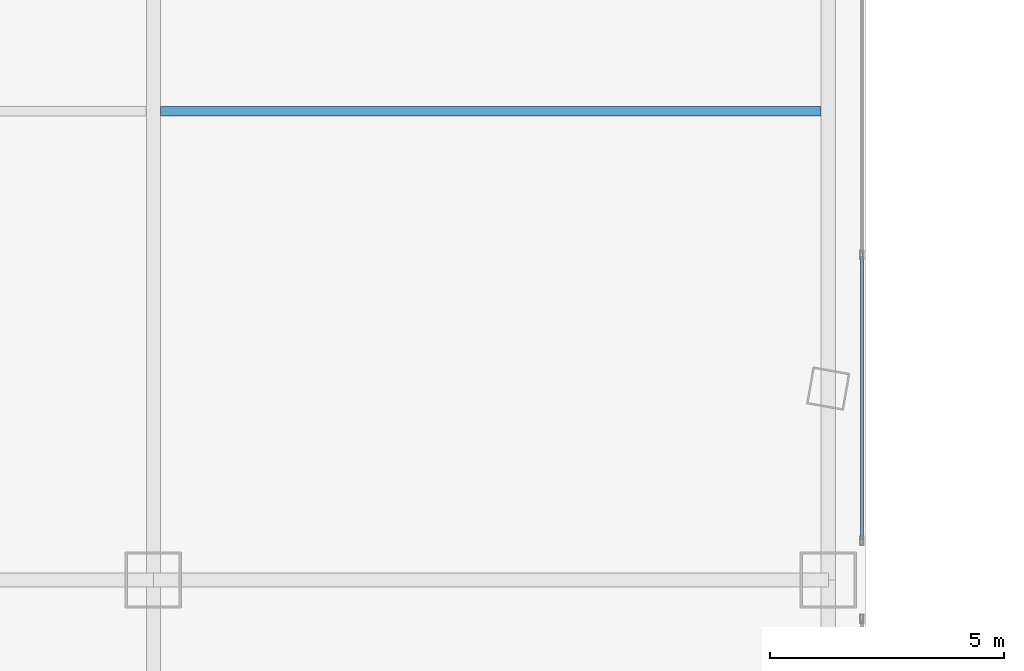
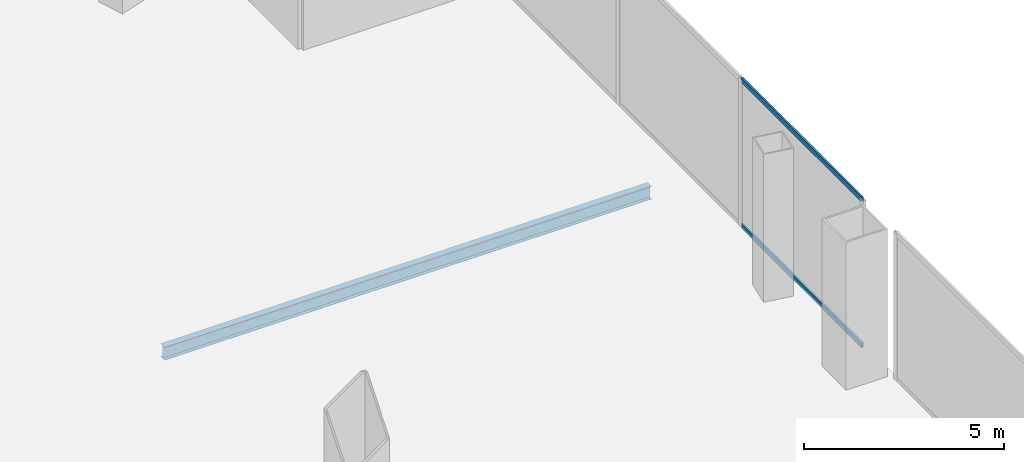
# One storey, part 22 of 58: 2 members, 1 beam, 1 element without a shape of its own.
"""IFC4 building model written with IfcOpenShell, lengths in metres."""

from ifc_helpers import new_model, si_unit, direction, frame, origin, origin_2d, place, context, subcontext, project, spatial, hollow_rectangle, i_section, extrude, source, transform, mapped, material, layer, layer_set, material_profile, profile_set, type_object, element, aggregate, save


model = new_model("IFC4")

# Units and contexts
model_context = context("Model", 3, precision=1e-05, world=origin(), true_north=direction((0.0, 1.0)))
body_context = subcontext(model_context, "Body", "Model", "MODEL_VIEW")
ifc_project = project(units=[si_unit("LENGTHUNIT", "METRE"), si_unit("AREAUNIT", "SQUARE_METRE"), si_unit("VOLUMEUNIT", "CUBIC_METRE"), si_unit("PLANEANGLEUNIT", "RADIAN"), si_unit("MASSUNIT", "GRAM", prefix="KILO"), si_unit("THERMODYNAMICTEMPERATUREUNIT", "KELVIN"), si_unit("POWERUNIT", "WATT")], contexts=[model_context])

# Site, building, storey
site_placement = place(None, origin())
site = spatial("IfcSite", under=ifc_project, at=site_placement, CompositionType="ELEMENT")
building_placement = place(site_placement, origin())
building = spatial("IfcBuilding", under=site, at=building_placement, Name="Yunzhuo Pagoda Commons", CompositionType="ELEMENT")
storey_placement = place(building_placement, origin())
storey = spatial("IfcBuildingStorey", under=building, at=storey_placement, Name="L01", CompositionType="ELEMENT", Elevation=0.0)

# Beam
ifc_material_1 = material(Name="Structural steel Q355B", Category="steel")
ifc_material_profile_1 = material_profile(ifc_material_1, i_section(OverallWidth=0.199951171875, OverallDepth=0.39990234375, WebThickness=0.008056640625, FlangeThickness=0.012939453125, at=origin_2d()), Name="Structural steel Q355B")
ifc_profile_set_1 = profile_set([ifc_material_profile_1], Name="Structural steel Q355B")
beam_type = type_object("IfcBeamType", Name="B-JS1 Joist HN 400x200x8x13", PredefinedType="JOIST", material=ifc_profile_set_1)
shared_shape_1 = source(origin(), body_context, "Body", "SweptSolid", [
    extrude(i_section(OverallWidth=0.199951171875, OverallDepth=0.39990234375, WebThickness=0.008056640625, FlangeThickness=0.012939453125, at=origin_2d()), origin(), (0.0, 0.0, 1.0), 14.08984375),
])
beam_placement = place(storey_placement, frame((76.955078125, 32.0, -0.479736328125), z_axis=(1.0, 0.0, 0.0), x_axis=(0.0, 1.0, 0.0)))
element("IfcBeam", 1, at=beam_placement, inside=storey, type_object=beam_type, Name="L01 podium composite joist 5.2", PredefinedType="JOIST", context=body_context, shape_type="MappedRepresentation", body=[
    mapped(shared_shape_1, transform((0.0, 0.0, 0.0), scale=1.0)),
])

# Curtain wall, members
ifc_material_2 = material(Name="Anodized aluminium 6063-T6", Category="aluminium")
ifc_layer = layer(ifc_material_2, 0.179931640625)
ifc_layer_set = layer_set([ifc_layer], Name="Anodized aluminium 6063-T6")
curtain_wall_type = type_object("IfcCurtainWallType", Name="CW-POD Waterfront Podium Curtain Wall", PredefinedType="NOTDEFINED", material=ifc_layer_set)
curtain_wall_placement = place(storey_placement, origin())
curtain_wall = element("IfcCurtainWall", 2, at=curtain_wall_placement, inside=storey, type_object=curtain_wall_type, Name="L01 curtain wall CW-L01-E2", PredefinedType="NOTDEFINED")
ifc_material_profile_2 = material_profile(ifc_material_2, hollow_rectangle(XDim=0.06005859375, YDim=0.14990234375, WallThickness=0.00390625, at=origin_2d()), Name="Anodized aluminium 6063-T6")
ifc_profile_set_2 = profile_set([ifc_material_profile_2], Name="Anodized aluminium 6063-T6")
member_type = type_object("IfcMemberType", Name="CW-POD-T Transom RHS 150x60x4", PredefinedType="USERDEFINED", material=ifc_profile_set_2)
shared_shape_2 = source(origin(), body_context, "Body", "SweptSolid", [
    extrude(hollow_rectangle(XDim=0.06005859375, YDim=0.14990234375, WallThickness=0.00390625, at=origin_2d()), origin(), (0.0, 0.0, 1.0), 6.035888671875),
])
member_1_placement = place(storey_placement, frame((91.919921875, 22.864990234375, 0.030029296875), z_axis=(0.0, 1.0, 0.0), x_axis=(-1.0, 0.0, 0.0)))
member_1 = element("IfcMember", 3, at=member_1_placement, type_object=member_type, Name="CW transom 1.1", ObjectType="TRANSOM", PredefinedType="USERDEFINED", context=body_context, shape_type="MappedRepresentation", body=[
    mapped(shared_shape_2, transform((0.0, 0.0, 0.0), scale=1.0)),
])
member_2_placement = place(storey_placement, frame((91.919921875, 22.864990234375, 4.489990234375), z_axis=(0.0, 1.0, 0.0), x_axis=(-1.0, 0.0, 0.0)))
member_2 = element("IfcMember", 4, at=member_2_placement, type_object=member_type, Name="CW transom 1.2", ObjectType="TRANSOM", PredefinedType="USERDEFINED", context=body_context, shape_type="MappedRepresentation", body=[
    mapped(shared_shape_2, transform((0.0, 0.0, 0.0), scale=1.0)),
])
aggregate(curtain_wall, [member_1, member_2])

save(model, "model.ifc")
